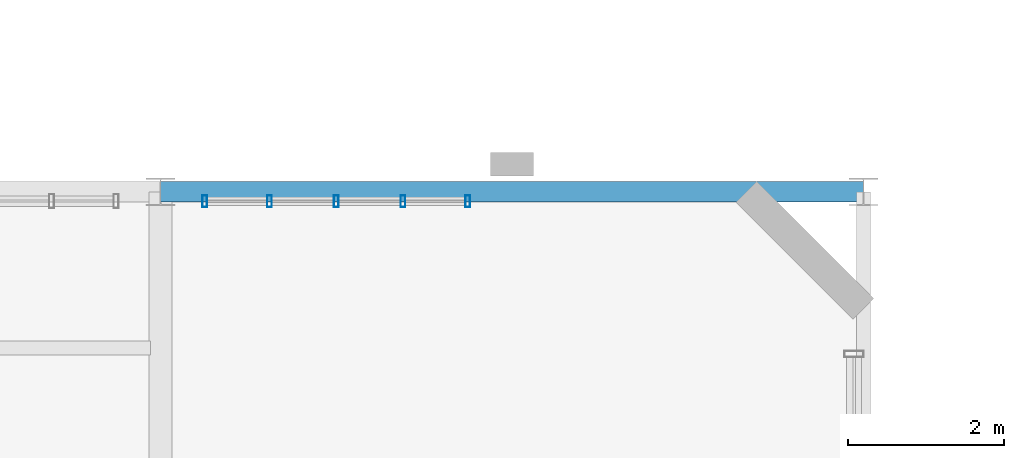
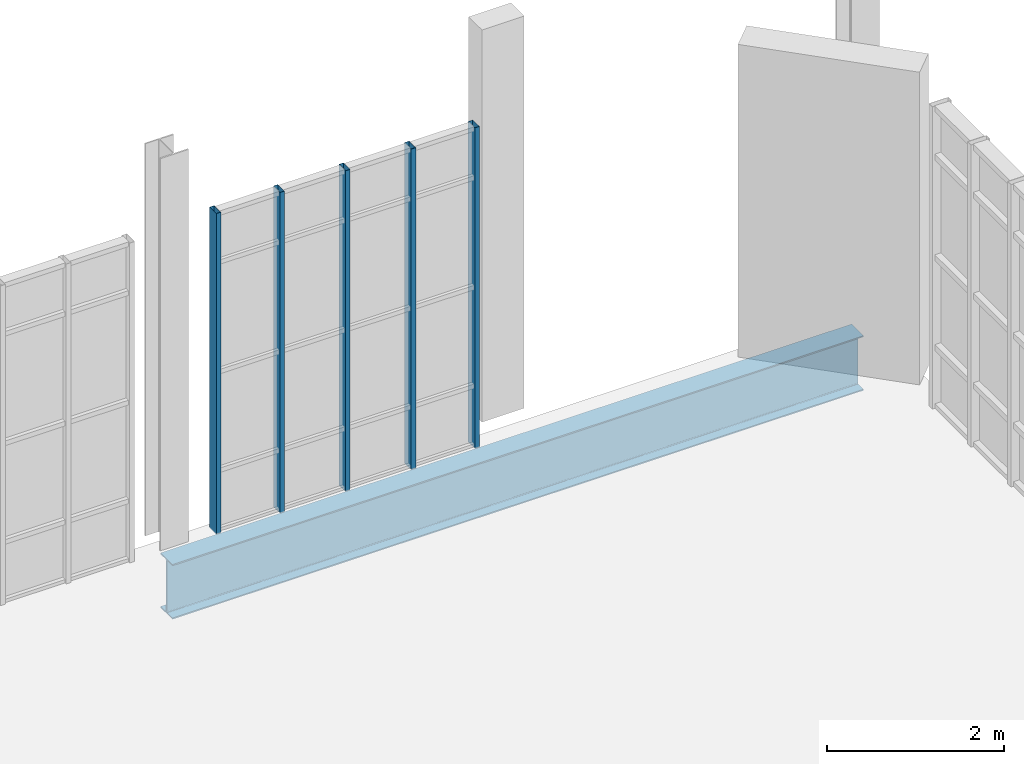
# One storey, part 102 of 189: 5 members, 1 beam, 1 element without a shape of its own.
"""IFC4 building model written with IfcOpenShell, lengths in metres."""

from ifc_helpers import new_model, si_unit, direction, frame, origin, origin_2d, place, context, subcontext, project, spatial, hollow_rectangle, i_section, extrude, material, layer, layer_set, material_profile, profile_set, type_object, element, aggregate, save


model = new_model("IFC4")

# Units and contexts
model_context = context("Model", 3, precision=1e-05, world=origin(), true_north=direction((0.0, 1.0)))
body_context = subcontext(model_context, "Body", "Model", "MODEL_VIEW")
ifc_project = project(units=[si_unit("LENGTHUNIT", "METRE"), si_unit("AREAUNIT", "SQUARE_METRE"), si_unit("VOLUMEUNIT", "CUBIC_METRE"), si_unit("PLANEANGLEUNIT", "RADIAN"), si_unit("MASSUNIT", "GRAM", prefix="KILO"), si_unit("THERMODYNAMICTEMPERATUREUNIT", "KELVIN"), si_unit("POWERUNIT", "WATT")], contexts=[model_context])

# Site, building, storey
site_placement = place(None, origin())
site = spatial("IfcSite", under=ifc_project, at=site_placement, CompositionType="ELEMENT")
building_placement = place(site_placement, origin())
building = spatial("IfcBuilding", under=site, at=building_placement, Name="Zelmaris Science Centre", CompositionType="ELEMENT")
storey_placement = place(building_placement, origin())
storey = spatial("IfcBuildingStorey", under=building, at=storey_placement, Name="L00", CompositionType="ELEMENT", Elevation=0.0)

# Curtain wall, members
ifc_material_1 = material(Name="Anodised architectural aluminium 6063-T6", Category="aluminium")
ifc_layer = layer(ifc_material_1, 0.219970703125, Name="Anodised architectural aluminium 6063-T6")
ifc_layer_set = layer_set([ifc_layer], Name="Anodised architectural aluminium 6063-T6")
curtain_wall_type = type_object("IfcCurtainWallType", Name="Curtain Wall CW-04", PredefinedType="USERDEFINED", material=ifc_layer_set)
curtain_wall_placement = place(storey_placement, origin())
curtain_wall = element("IfcCurtainWall", 1, at=curtain_wall_placement, inside=storey, type_object=curtain_wall_type, Name="L00 Unitised curtain wall 84", ObjectType="GLAZED CURTAIN WALL", PredefinedType="USERDEFINED")
ifc_material_profile_1 = material_profile(ifc_material_1, hollow_rectangle(XDim=0.06005859375, YDim=0.14990234375, WallThickness=0.00341796875, at=origin_2d()), Name="ALU-MUL-60X150")
ifc_profile_set_1 = profile_set([ifc_material_profile_1], Name="Anodised architectural aluminium 6063-T6")
member_type = type_object("IfcMemberType", Name="ALU-MUL-60X150", PredefinedType="MULLION", material=ifc_profile_set_1)
member_1_placement = place(storey_placement, frame((99.56591796875, 87.8798828125, -0.014892578125), z_axis=(0.0, 0.0, 1.0), x_axis=(1.0, 0.0, 0.0)))
member_1 = element("IfcMember", 2, at=member_1_placement, type_object=member_type, Name="CW-04 mullion 1", PredefinedType="MULLION", context=body_context, shape_type="SweptSolid", body=[
    extrude(hollow_rectangle(XDim=0.06005859375, YDim=0.14990234375, WallThickness=0.00341796875, at=origin_2d()), origin(), (0.0, 0.0, 1.0), 4.4169921875),
])
member_2_placement = place(storey_placement, frame((100.39501953125, 87.8798828125, -0.014892578125), z_axis=(0.0, 0.0, 1.0), x_axis=(1.0, 0.0, 0.0)))
member_2 = element("IfcMember", 3, at=member_2_placement, type_object=member_type, Name="CW-04 mullion 2", PredefinedType="MULLION", context=body_context, shape_type="SweptSolid", body=[
    extrude(hollow_rectangle(XDim=0.06005859375, YDim=0.14990234375, WallThickness=0.00341796875, at=origin_2d()), origin(), (0.0, 0.0, 1.0), 4.4169921875),
])
member_3_placement = place(storey_placement, frame((101.25, 87.8798828125, -0.014892578125), z_axis=(0.0, 0.0, 1.0), x_axis=(1.0, 0.0, 0.0)))
member_3 = element("IfcMember", 4, at=member_3_placement, type_object=member_type, Name="CW-04 mullion 3", PredefinedType="MULLION", context=body_context, shape_type="SweptSolid", body=[
    extrude(hollow_rectangle(XDim=0.06005859375, YDim=0.14990234375, WallThickness=0.00341796875, at=origin_2d()), origin(), (0.0, 0.0, 1.0), 4.4169921875),
])
member_4_placement = place(storey_placement, frame((102.10498046875, 87.8798828125, -0.014892578125), z_axis=(0.0, 0.0, 1.0), x_axis=(1.0, 0.0, 0.0)))
member_4 = element("IfcMember", 5, at=member_4_placement, type_object=member_type, Name="CW-04 mullion 4", PredefinedType="MULLION", context=body_context, shape_type="SweptSolid", body=[
    extrude(hollow_rectangle(XDim=0.06005859375, YDim=0.14990234375, WallThickness=0.00341796875, at=origin_2d()), origin(), (0.0, 0.0, 1.0), 4.4169921875),
])
member_5_placement = place(storey_placement, frame((102.93408203125, 87.8798828125, -0.014892578125), z_axis=(0.0, 0.0, 1.0), x_axis=(1.0, 0.0, 0.0)))
member_5 = element("IfcMember", 6, at=member_5_placement, type_object=member_type, Name="CW-04 mullion 5", PredefinedType="MULLION", context=body_context, shape_type="SweptSolid", body=[
    extrude(hollow_rectangle(XDim=0.06005859375, YDim=0.14990234375, WallThickness=0.00341796875, at=origin_2d()), origin(), (0.0, 0.0, 1.0), 4.4169921875),
])
aggregate(curtain_wall, [member_1, member_2, member_3, member_4, member_5])

# Beam
ifc_material_2 = material(Name="Steel ASTM A992 Grade 50", Category="steel")
ifc_material_profile_2 = material_profile(ifc_material_2, i_section(OverallWidth=0.26708984375, OverallDepth=0.75390625, WebThickness=0.01318359375, FlangeThickness=0.01708984375, FilletRadius=0.01904296875, at=origin_2d()), Name="W30X99")
ifc_profile_set_2 = profile_set([ifc_material_profile_2], Name="Steel ASTM A992 Grade 50")
beam_type = type_object("IfcBeamType", Name="Beam G-34 W30X99", PredefinedType="BEAM", material=ifc_profile_set_2)
beam_placement = place(storey_placement, frame((99.0, 88.0, -0.656982421875), z_axis=(1.0, 0.0, 0.0), x_axis=(0.0, 1.0, 0.0)))
element("IfcBeam", 7, at=beam_placement, inside=storey, type_object=beam_type, Name="L00 East-west girder 178", PredefinedType="BEAM", context=body_context, shape_type="SweptSolid", body=[
    extrude(i_section(OverallWidth=0.26708984375, OverallDepth=0.75390625, WebThickness=0.01318359375, FlangeThickness=0.01708984375, FilletRadius=0.01904296875, at=origin_2d()), origin(), (0.0, 0.0, 1.0), 9.0),
])

save(model, "model.ifc")
